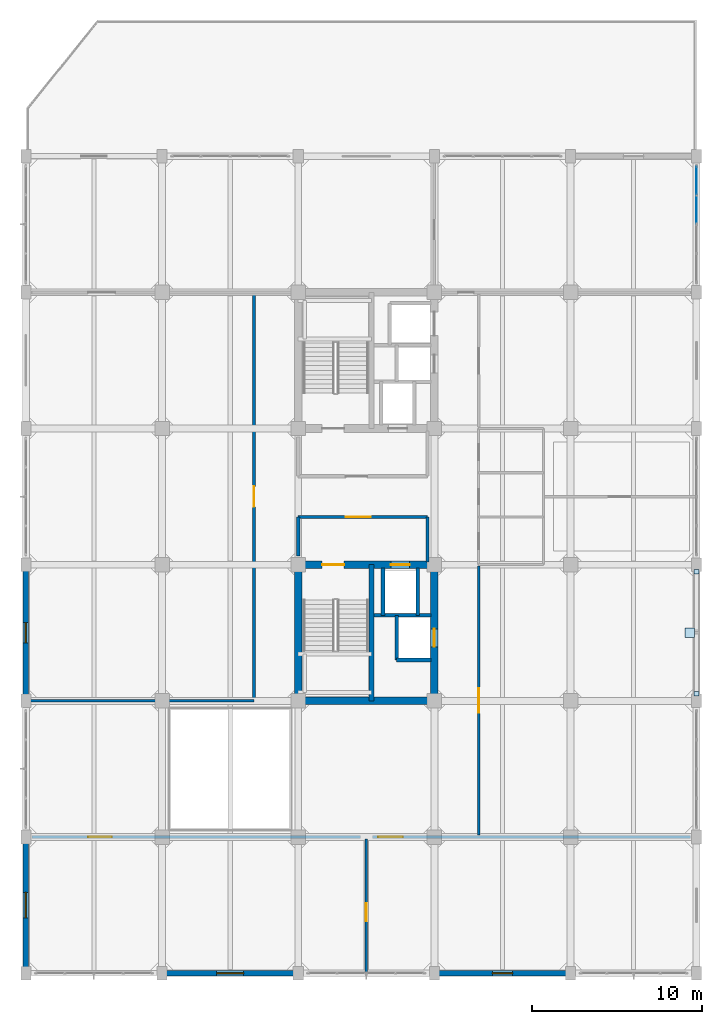
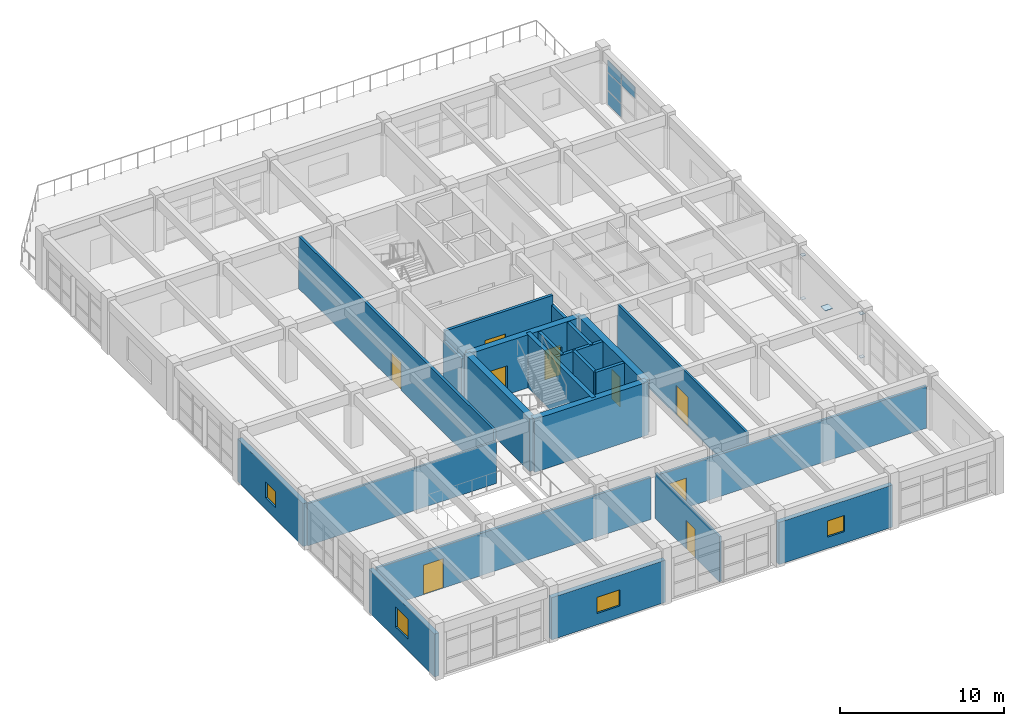
# One storey, part 24 of 30: 23 walls, 9 doors, 9 plates, 4 windows, 13 openings, 1 element without a shape of its own.
"""IFC4 building model written with IfcOpenShell, lengths in metres."""

from ifc_helpers import new_model, si_unit, direction, frame, frame_2d, origin, origin_2d, place, context, subcontext, project, spatial, rectangle, extrude, material, layer, layer_set, type_object, element, fill, aggregate, save


model = new_model("IFC4")

# Units and contexts
model_context = context("Model", 3, precision=1e-05, world=origin(), true_north=direction((0.0, 1.0)))
body_context = subcontext(model_context, "Body", "Model", "MODEL_VIEW")
ifc_project = project(units=[si_unit("LENGTHUNIT", "METRE"), si_unit("AREAUNIT", "SQUARE_METRE"), si_unit("VOLUMEUNIT", "CUBIC_METRE"), si_unit("PLANEANGLEUNIT", "RADIAN"), si_unit("MASSUNIT", "GRAM", prefix="KILO")], contexts=[model_context])

# Site, building, storey
site_placement = place(None, origin())
site = spatial("IfcSite", under=ifc_project, at=site_placement, CompositionType="ELEMENT")
building_placement = place(site_placement, origin())
building = spatial("IfcBuilding", under=site, at=building_placement, Name="Canggui Botanical Conservatory", CompositionType="ELEMENT")
storey_placement = place(building_placement, frame((0.0, 0.0, 19.199951171875)))
storey = spatial("IfcBuildingStorey", under=building, at=storey_placement, Name="L05", CompositionType="ELEMENT", Elevation=19.199951171875)

# Curtain wall, plates
ifc_material_1 = material(Name="Thermally Broken Aluminium", Category="aluminium")
ifc_layer_1 = layer(ifc_material_1, 0.1650390625, Name="Thermally Broken Aluminium", Category="aluminium")
ifc_layer_set_1 = layer_set([ifc_layer_1], Name="Thermally Broken Aluminium")
curtain_wall_type = type_object("IfcCurtainWallType", Name="CW-UNIT-B", PredefinedType="USERDEFINED", material=ifc_layer_set_1)
curtain_wall_placement = place(storey_placement, origin())
curtain_wall = element("IfcCurtainWall", 1, at=curtain_wall_placement, inside=storey, type_object=curtain_wall_type, Name="Facade Curtain Wall CW-TWR-L05-17", ObjectType="UNITISED CURTAIN WALL", PredefinedType="USERDEFINED")
ifc_material_2 = material(Name="Low-E Insulated Glass", Category="glass")
ifc_layer_2 = layer(ifc_material_2, 0.030029296875, Name="Low-E Insulated Glass", Category="glass")
ifc_layer_set_2 = layer_set([ifc_layer_2], Name="Low-E Insulated Glass")
plate_type_1 = type_object("IfcPlateType", Name="CWP-02", PredefinedType="CURTAIN_PANEL", material=ifc_layer_set_2)
plate_1_placement = place(storey_placement, frame((177.39990234375, 72.563720703125, 0.06005859375), z_axis=(0.0, 0.0, 1.0), x_axis=(0.0, -1.0, 0.0)))
plate_1 = element("IfcPlate", 2, at=plate_1_placement, type_object=plate_type_1, Name="CW-02 panel 1.1", PredefinedType="CURTAIN_PANEL", context=body_context, shape_type="SweptSolid", body=[
    extrude(rectangle(XDim=1.62255859375, YDim=0.030029296875, at=origin_2d()), origin(), (0.0, 0.0, 1.0), 0.998046875),
])
plate_2_placement = place(storey_placement, frame((177.39990234375, 72.563720703125, 1.1181640625), z_axis=(0.0, 0.0, 1.0), x_axis=(0.0, -1.0, 0.0)))
plate_2 = element("IfcPlate", 3, at=plate_2_placement, type_object=plate_type_1, Name="CW-02 panel 1.2", PredefinedType="CURTAIN_PANEL", context=body_context, shape_type="SweptSolid", body=[
    extrude(rectangle(XDim=1.62255859375, YDim=0.030029296875, at=origin_2d()), origin(), (0.0, 0.0, 1.0), 1.300048828125),
])
plate_3_placement = place(storey_placement, frame((177.39990234375, 72.563720703125, 2.47802734375), z_axis=(0.0, 0.0, 1.0), x_axis=(0.0, -1.0, 0.0)))
plate_3 = element("IfcPlate", 4, at=plate_3_placement, type_object=plate_type_1, Name="CW-02 panel 1.3", PredefinedType="CURTAIN_PANEL", context=body_context, shape_type="SweptSolid", body=[
    extrude(rectangle(XDim=1.62255859375, YDim=0.030029296875, at=origin_2d()), origin(), (0.0, 0.0, 1.0), 0.862060546875),
])
plate_4_placement = place(storey_placement, frame((177.39990234375, 70.860107421875, 2.47802734375), z_axis=(0.0, 0.0, 1.0), x_axis=(0.0, -1.0, 0.0)))
plate_4 = element("IfcPlate", 5, at=plate_4_placement, type_object=plate_type_1, Name="CW-02 panel 2.3", PredefinedType="CURTAIN_PANEL", context=body_context, shape_type="SweptSolid", body=[
    extrude(rectangle(XDim=1.655029296875, YDim=0.030029296875, at=origin_2d()), origin(), (0.0, 0.0, 1.0), 0.862060546875),
])
aggregate(curtain_wall, [plate_1, plate_2, plate_3, plate_4])

# Plates
ifc_material_3 = material(Name="Steel Q355B", Category="steel")
ifc_layer_3 = layer(ifc_material_3, 0.02001953125, Name="Steel Q355B", Category="steel")
ifc_layer_set_3 = layer_set([ifc_layer_3], Name="Steel Q355B")
plate_type_2 = type_object("IfcPlateType", Name="PLT-CAP-20", PredefinedType="USERDEFINED", material=ifc_layer_set_3)
for number, where, z_axis, x_axis, name in (
    (6, (177.39990234375, 42.419921875, 0.0400390625), (0.0, 0.0, 1.0), (1.0, 0.0, 0.0), "CP-ZC-L05-1"),
    (7, (177.39990234375, 49.580078125, 0.0400390625), (0.0, 0.0, 1.0), (1.0, 0.0, 0.0), "CP-ZC-L05-2"),
    (8, (177.39990234375, 42.419921875, 3.27001953125), (0.0, 0.0, 1.0), (1.0, 0.0, 0.0), "CP-ZC-L05-3"),
    (9, (177.39990234375, 49.580078125, 3.27001953125), (0.0, 0.0, 1.0), (1.0, 0.0, 0.0), "CP-ZC-L05-4"),
):
    element("IfcPlate", number, at=place(storey_placement, frame(where, z_axis=z_axis, x_axis=x_axis)), inside=storey, type_object=plate_type_2, Name=name, ObjectType="END CAP PLATE", PredefinedType="USERDEFINED", context=body_context, shape_type="SweptSolid", body=[
        extrude(rectangle(XDim=0.280029296875, YDim=0.280029296875, at=origin_2d()), origin(), (0.0, 0.0, 1.0), 0.02001953125),
    ])
ifc_material_4 = material(Name="Steel Q355C", Category="steel")
ifc_layer_4 = layer(ifc_material_4, 0.02392578125, Name="Steel Q355C", Category="steel")
ifc_layer_set_4 = layer_set([ifc_layer_4], Name="Steel Q355C")
plate_type_3 = type_object("IfcPlateType", Name="PLT-GUSSET-24", PredefinedType="USERDEFINED", material=ifc_layer_set_4)
plate_5_placement = place(storey_placement, frame((177.0048828125, 46.0, 1.653076171875), z_axis=(0.0, 0.0, 1.0), x_axis=(1.0, 0.0, 0.0)))
element("IfcPlate", 10, at=plate_5_placement, inside=storey, type_object=plate_type_3, Name="Seismic X-Brace Central Crossing Gusset Plate L05", ObjectType="GUSSET PLATE", PredefinedType="USERDEFINED", context=body_context, shape_type="SweptSolid", body=[
    extrude(rectangle(XDim=0.5400390625, YDim=0.5400390625, at=origin_2d()), origin(), (0.0, 0.0, 1.0), 0.02392578125),
])

# Wall, opening, window
ifc_material_5 = material(Name="Precast Concrete C40", Category="concrete")
ifc_layer_5 = layer(ifc_material_5, 0.320068359375, Name="Precast Concrete C40", Category="concrete")
ifc_layer_set_5 = layer_set([ifc_layer_5], Name="Precast Concrete C40")
wall_type_1 = type_object("IfcWallType", Name="EW-320", PredefinedType="STANDARD", material=ifc_layer_set_5)
wall_1_placement = place(storey_placement, frame((170.0, 26.0, 0.0), z_axis=(0.0, 0.0, 1.0), x_axis=(-1.0, 0.0, 0.0)))
wall_1 = element("IfcWall", 11, at=wall_1_placement, inside=storey, type_object=wall_type_1, Name="Tower Insulated Exterior Wall L05-S2", PredefinedType="STANDARD", context=body_context, shape_type="SweptSolid", body=[
    extrude(rectangle(XDim=8.0, YDim=0.320068359375, at=frame_2d((4.0, 0.0))), origin(), (0.0, 0.0, 1.0), 3.14013671875),
])
opening_1_placement = place(wall_1_placement, frame((3.39990234375, 0.0, 0.85009765625)))
opening_1 = element("IfcOpeningElement", 12, at=opening_1_placement, cuts=wall_1, Name="Opening W-06", PredefinedType="OPENING", context=body_context, shape_type="SweptSolid", body=[
    extrude(rectangle(XDim=1.199951171875, YDim=1.199951171875, at=frame_2d((0.60009765625, 0.60009765625))), frame((0.0, 0.169921875, 0.0), z_axis=(0.0, -1.0, 0.0), x_axis=(1.0, 0.0, 0.0)), (0.0, 0.0, 1.0), 0.340087890625),
])
window_type_1 = type_object("IfcWindowType", Name="WIN-06", PartitioningType="SINGLE_PANEL", PredefinedType="WINDOW", material=ifc_material_2)
window_1_placement = place(opening_1_placement, origin())
window_1 = element("IfcWindow", 13, at=window_1_placement, inside=storey, type_object=window_type_1, Name="Tower Firefighter Rescue Window L05-2", OverallHeight=1.199951171875, OverallWidth=1.199951171875, PartitioningType="SINGLE_PANEL", PredefinedType="WINDOW", context=body_context, shape_type="SweptSolid", body=[
    extrude(rectangle(XDim=1.199951171875, YDim=1.199951171875, at=frame_2d((0.60009765625, 0.60009765625))), frame((0.0, 0.030029296875, 0.0), z_axis=(0.0, -1.0, 0.0), x_axis=(1.0, 0.0, 0.0)), (0.0, 0.0, 1.0), 0.06005859375),
])
fill(opening_1, window_1)

wall_2_placement = place(storey_placement, frame((154.0, 26.0, 0.0), z_axis=(0.0, 0.0, 1.0), x_axis=(-1.0, 0.0, 0.0)))
wall_2 = element("IfcWall", 14, at=wall_2_placement, inside=storey, type_object=wall_type_1, Name="Tower Insulated Exterior Wall L05-S4", PredefinedType="STANDARD", context=body_context, shape_type="SweptSolid", body=[
    extrude(rectangle(XDim=8.0, YDim=0.320068359375, at=frame_2d((4.0, 0.0))), origin(), (0.0, 0.0, 1.0), 3.14013671875),
])
opening_2_placement = place(wall_2_placement, frame((3.199951171875, 0.0, 0.85009765625)))
opening_2 = element("IfcOpeningElement", 15, at=opening_2_placement, cuts=wall_2, Name="Opening W-04", PredefinedType="OPENING", context=body_context, shape_type="SweptSolid", body=[
    extrude(rectangle(XDim=1.60009765625, YDim=1.199951171875, at=frame_2d((0.800048828125, 0.60009765625))), frame((0.0, 0.169921875, 0.0), z_axis=(0.0, -1.0, 0.0), x_axis=(1.0, 0.0, 0.0)), (0.0, 0.0, 1.0), 0.340087890625),
])
window_type_2 = type_object("IfcWindowType", Name="WIN-04", PartitioningType="SINGLE_PANEL", PredefinedType="WINDOW", material=ifc_material_2)
window_2_placement = place(opening_2_placement, origin())
window_2 = element("IfcWindow", 16, at=window_2_placement, inside=storey, type_object=window_type_2, Name="Tower Window L05-4", OverallHeight=1.199951171875, OverallWidth=1.60009765625, PartitioningType="SINGLE_PANEL", PredefinedType="WINDOW", context=body_context, shape_type="SweptSolid", body=[
    extrude(rectangle(XDim=1.60009765625, YDim=1.199951171875, at=frame_2d((0.800048828125, 0.60009765625))), frame((0.0, 0.030029296875, 0.0), z_axis=(0.0, -1.0, 0.0), x_axis=(1.0, 0.0, 0.0)), (0.0, 0.0, 1.0), 0.06005859375),
])
fill(opening_2, window_2)

wall_3_placement = place(storey_placement, frame((138.0, 26.0, 0.0), z_axis=(0.0, 0.0, 1.0), x_axis=(0.0, 1.0, 0.0)))
wall_3 = element("IfcWall", 17, at=wall_3_placement, inside=storey, type_object=wall_type_1, Name="Tower Insulated Exterior Wall L05-W6", PredefinedType="STANDARD", context=body_context, shape_type="SweptSolid", body=[
    extrude(rectangle(XDim=8.0, YDim=0.320068359375, at=frame_2d((4.0, 0.0))), origin(), (0.0, 0.0, 1.0), 3.18994140625),
])
opening_3_placement = place(wall_3_placement, frame((3.25, 0.0, 0.85009765625)))
opening_3 = element("IfcOpeningElement", 18, at=opening_3_placement, cuts=wall_3, Name="Opening W-05", PredefinedType="OPENING", context=body_context, shape_type="SweptSolid", body=[
    extrude(rectangle(XDim=1.5, YDim=1.5, at=frame_2d((0.75, 0.75))), frame((0.0, 0.169921875, 0.0), z_axis=(0.0, -1.0, 0.0), x_axis=(1.0, 0.0, 0.0)), (0.0, 0.0, 1.0), 0.340087890625),
])
window_type_3 = type_object("IfcWindowType", Name="WIN-05", PartitioningType="SINGLE_PANEL", PredefinedType="WINDOW", material=ifc_material_2)
window_3_placement = place(opening_3_placement, origin())
window_3 = element("IfcWindow", 19, at=window_3_placement, inside=storey, type_object=window_type_3, Name="Tower Window L05-6", OverallHeight=1.5, OverallWidth=1.5, PartitioningType="SINGLE_PANEL", PredefinedType="WINDOW", context=body_context, shape_type="SweptSolid", body=[
    extrude(rectangle(XDim=1.5, YDim=1.5, at=frame_2d((0.75, 0.75))), frame((0.0, 0.030029296875, 0.0), z_axis=(0.0, -1.0, 0.0), x_axis=(1.0, 0.0, 0.0)), (0.0, 0.0, 1.0), 0.06005859375),
])
fill(opening_3, window_3)

wall_4_placement = place(storey_placement, frame((138.0, 42.0, 0.0), z_axis=(0.0, 0.0, 1.0), x_axis=(0.0, 1.0, 0.0)))
wall_4 = element("IfcWall", 20, at=wall_4_placement, inside=storey, type_object=wall_type_1, Name="Tower Insulated Exterior Wall L05-W8", PredefinedType="STANDARD", context=body_context, shape_type="SweptSolid", body=[
    extrude(rectangle(XDim=8.0, YDim=0.320068359375, at=frame_2d((4.0, 0.0))), origin(), (0.0, 0.0, 1.0), 3.18994140625),
])
opening_4_placement = place(wall_4_placement, frame((3.39990234375, 0.0, 0.85009765625)))
opening_4 = element("IfcOpeningElement", 21, at=opening_4_placement, cuts=wall_4, Name="Opening W-06", PredefinedType="OPENING", context=body_context, shape_type="SweptSolid", body=[
    extrude(rectangle(XDim=1.199951171875, YDim=1.199951171875, at=frame_2d((0.60009765625, 0.60009765625))), frame((0.0, 0.169921875, 0.0), z_axis=(0.0, -1.0, 0.0), x_axis=(1.0, 0.0, 0.0)), (0.0, 0.0, 1.0), 0.340087890625),
])
window_4_placement = place(opening_4_placement, origin())
window_4 = element("IfcWindow", 22, at=window_4_placement, inside=storey, type_object=window_type_1, Name="Tower Firefighter Rescue Window L05-8", OverallHeight=1.199951171875, OverallWidth=1.199951171875, PartitioningType="SINGLE_PANEL", PredefinedType="WINDOW", context=body_context, shape_type="SweptSolid", body=[
    extrude(rectangle(XDim=1.199951171875, YDim=1.199951171875, at=frame_2d((0.60009765625, 0.60009765625))), frame((0.0, 0.030029296875, 0.0), z_axis=(0.0, -1.0, 0.0), x_axis=(1.0, 0.0, 0.0)), (0.0, 0.0, 1.0), 0.06005859375),
])
fill(opening_4, window_4)

# Wall, opening, door
ifc_material_6 = material(Name="Gypsum Plasterboard Partition")
ifc_layer_6 = layer(ifc_material_6, 0.175048828125, Name="Gypsum Plasterboard Partition")
ifc_layer_set_6 = layer_set([ifc_layer_6], Name="Gypsum Plasterboard Partition")
wall_type_2 = type_object("IfcWallType", Name="IW-CORR-175", PredefinedType="STANDARD", material=ifc_layer_set_6)
wall_5_placement = place(storey_placement, frame((151.39990234375, 42.1201171875, 0.0), z_axis=(0.0, 0.0, 1.0), x_axis=(0.0, 1.0, 0.0)))
wall_5 = element("IfcWall", 23, at=wall_5_placement, inside=storey, type_object=wall_type_2, Name="L05 Botanical Rare Book Archive Corridor Wall", PredefinedType="STANDARD", context=body_context, shape_type="SweptSolid", body=[
    extrude(rectangle(XDim=23.759765625, YDim=0.175048828125, at=frame_2d((11.8798828125, 0.0))), origin(), (0.0, 0.0, 1.0), 3.900146484375),
])
opening_5_placement = place(wall_5_placement, frame((11.280029296875, 0.0, 0.0)))
opening_5 = element("IfcOpeningElement", 24, at=opening_5_placement, cuts=wall_5, Name="Opening FD-07", PredefinedType="OPENING", context=body_context, shape_type="SweptSolid", body=[
    extrude(rectangle(XDim=1.199951171875, YDim=2.10009765625, at=frame_2d((0.60009765625, 1.050048828125))), frame((0.0, 0.09765625, 0.0), z_axis=(0.0, -1.0, 0.0), x_axis=(1.0, 0.0, 0.0)), (0.0, 0.0, 1.0), 0.195068359375),
])
ifc_material_7 = material(Name="Powder-Coated Steel", Category="steel")
door_type_1 = type_object("IfcDoorType", Name="FD-07", OperationType="NOTDEFINED", PredefinedType="DOOR", material=ifc_material_7)
door_1_placement = place(opening_5_placement, origin())
door_1 = element("IfcDoor", 25, at=door_1_placement, inside=storey, type_object=door_type_1, Name="L05 Botanical Rare Book Archive Entrance Door", OperationType="SINGLE_SWING_RIGHT", OverallHeight=2.10009765625, OverallWidth=1.199951171875, PredefinedType="DOOR", context=body_context, shape_type="SweptSolid", body=[
    extrude(rectangle(XDim=1.199951171875, YDim=2.10009765625, at=frame_2d((0.60009765625, 1.050048828125))), frame((0.0, 0.02490234375, 0.0), z_axis=(0.0, -1.0, 0.0), x_axis=(1.0, 0.0, 0.0)), (0.0, 0.0, 1.0), 0.050048828125),
])
fill(opening_5, door_1)

wall_6_placement = place(storey_placement, frame((138.35009765625, 34.0, 0.0), z_axis=(0.0, 0.0, 1.0), x_axis=(1.0, 0.0, 0.0)))
wall_6 = element("IfcWall", 26, at=wall_6_placement, inside=storey, type_object=wall_type_2, Name="L05 Historical Flora Monograph Reading Hall South Suite Wall", PredefinedType="STANDARD", context=body_context, shape_type="SweptSolid", body=[
    extrude(rectangle(XDim=19.2998046875, YDim=0.175048828125, at=frame_2d((9.64990234375, 0.0))), origin(), (0.0, 0.0, 1.0), 3.14013671875),
])
opening_6_placement = place(wall_6_placement, frame((3.300048828125, 0.0, 0.0)))
opening_6 = element("IfcOpeningElement", 27, at=opening_6_placement, cuts=wall_6, Name="Opening FD-11", PredefinedType="OPENING", context=body_context, shape_type="SweptSolid", body=[
    extrude(rectangle(XDim=1.39990234375, YDim=2.199951171875, at=frame_2d((0.699951171875, 1.10009765625))), frame((0.0, 0.09765625, 0.0), z_axis=(0.0, -1.0, 0.0), x_axis=(1.0, 0.0, 0.0)), (0.0, 0.0, 1.0), 0.195068359375),
])
door_type_2 = type_object("IfcDoorType", Name="FD-11", OperationType="NOTDEFINED", PredefinedType="DOOR", material=ifc_material_7)
door_2_placement = place(opening_6_placement, origin())
door_2 = element("IfcDoor", 28, at=door_2_placement, inside=storey, type_object=door_type_2, Name="Interior Door IW-L05-SCOR-1", OperationType="SINGLE_SWING_RIGHT", OverallHeight=2.199951171875, OverallWidth=1.39990234375, PredefinedType="DOOR", context=body_context, shape_type="SweptSolid", body=[
    extrude(rectangle(XDim=1.39990234375, YDim=2.199951171875, at=frame_2d((0.699951171875, 1.10009765625))), frame((0.0, 0.02490234375, 0.0), z_axis=(0.0, -1.0, 0.0), x_axis=(1.0, 0.0, 0.0)), (0.0, 0.0, 1.0), 0.050048828125),
])
fill(opening_6, door_2)

wall_7_placement = place(storey_placement, frame((158.35009765625, 34.0, 0.0), z_axis=(0.0, 0.0, 1.0), x_axis=(1.0, 0.0, 0.0)))
wall_7 = element("IfcWall", 29, at=wall_7_placement, inside=storey, type_object=wall_type_2, Name="L05 Cartography and Botanical Map Vault South Suite Wall", PredefinedType="STANDARD", context=body_context, shape_type="SweptSolid", body=[
    extrude(rectangle(XDim=18.699951171875, YDim=0.175048828125, at=frame_2d((9.35009765625, 0.0))), origin(), (0.0, 0.0, 1.0), 3.14013671875),
])
opening_7_placement = place(wall_7_placement, frame((0.35009765625, 0.0, 0.0)))
opening_7 = element("IfcOpeningElement", 30, at=opening_7_placement, cuts=wall_7, Name="Opening FD-12", PredefinedType="OPENING", context=body_context, shape_type="SweptSolid", body=[
    extrude(rectangle(XDim=1.449951171875, YDim=2.199951171875, at=frame_2d((0.72509765625, 1.10009765625))), frame((0.0, 0.09765625, 0.0), z_axis=(0.0, -1.0, 0.0), x_axis=(1.0, 0.0, 0.0)), (0.0, 0.0, 1.0), 0.195068359375),
])
door_type_3 = type_object("IfcDoorType", Name="FD-12", OperationType="NOTDEFINED", PredefinedType="DOOR", material=ifc_material_7)
door_3_placement = place(opening_7_placement, origin())
door_3 = element("IfcDoor", 31, at=door_3_placement, inside=storey, type_object=door_type_3, Name="Interior Door IW-L05-SCOR-2", OperationType="SINGLE_SWING_RIGHT", OverallHeight=2.199951171875, OverallWidth=1.449951171875, PredefinedType="DOOR", context=body_context, shape_type="SweptSolid", body=[
    extrude(rectangle(XDim=1.449951171875, YDim=2.199951171875, at=frame_2d((0.72509765625, 1.10009765625))), frame((0.0, 0.02490234375, 0.0), z_axis=(0.0, -1.0, 0.0), x_axis=(1.0, 0.0, 0.0)), (0.0, 0.0, 1.0), 0.050048828125),
])
fill(opening_7, door_3)

ifc_layer_7 = layer(ifc_material_6, 0.155029296875, Name="Gypsum Plasterboard Partition")
ifc_layer_set_7 = layer_set([ifc_layer_7], Name="Gypsum Plasterboard Partition")
wall_type_3 = type_object("IfcWallType", Name="IW-LAB-155", PredefinedType="STANDARD", material=ifc_layer_set_7)
wall_8_placement = place(storey_placement, frame((164.60009765625, 34.1201171875, 0.0), z_axis=(0.0, 0.0, 1.0), x_axis=(0.0, 1.0, 0.0)))
wall_8 = element("IfcWall", 32, at=wall_8_placement, inside=storey, type_object=wall_type_3, Name="L05 Taxonomy Reference Library Lab Wall", PredefinedType="STANDARD", context=body_context, shape_type="SweptSolid", body=[
    extrude(rectangle(XDim=15.7998046875, YDim=0.155029296875, at=frame_2d((7.89990234375, 0.0))), origin(), (0.0, 0.0, 1.0), 3.900146484375),
])
opening_8_placement = place(wall_8_placement, frame((7.175048828125, 0.0, 0.0)))
opening_8 = element("IfcOpeningElement", 33, at=opening_8_placement, cuts=wall_8, Name="Opening FD-12", PredefinedType="OPENING", context=body_context, shape_type="SweptSolid", body=[
    extrude(rectangle(XDim=1.449951171875, YDim=2.199951171875, at=frame_2d((0.72509765625, 1.10009765625))), frame((0.0, 0.08740234375, 0.0), z_axis=(0.0, -1.0, 0.0), x_axis=(1.0, 0.0, 0.0)), (0.0, 0.0, 1.0), 0.175048828125),
])
door_4_placement = place(opening_8_placement, origin())
door_4 = element("IfcDoor", 34, at=door_4_placement, inside=storey, type_object=door_type_3, Name="Interior Door IW-L05-ECOR-1-1", OperationType="SINGLE_SWING_LEFT", OverallHeight=2.199951171875, OverallWidth=1.449951171875, PredefinedType="DOOR", context=body_context, shape_type="SweptSolid", body=[
    extrude(rectangle(XDim=1.449951171875, YDim=2.199951171875, at=frame_2d((0.72509765625, 1.10009765625))), frame((0.0, 0.02490234375, 0.0), z_axis=(0.0, -1.0, 0.0), x_axis=(1.0, 0.0, 0.0)), (0.0, 0.0, 1.0), 0.050048828125),
])
fill(opening_8, door_4)

ifc_material_8 = material(Name="Concrete C35", Category="concrete")
ifc_layer_8 = layer(ifc_material_8, 0.195068359375, Name="Concrete C35", Category="concrete")
ifc_layer_set_8 = layer_set([ifc_layer_8], Name="Concrete C35")
wall_type_4 = type_object("IfcWallType", Name="IW-LOBBY-195", PredefinedType="STANDARD", material=ifc_layer_set_8)
wall_9_placement = place(storey_placement, frame((154.0, 52.800048828125, 0.0), z_axis=(0.0, 0.0, 1.0), x_axis=(1.0, 0.0, 0.0)))
wall_9 = element("IfcWall", 35, at=wall_9_placement, inside=storey, type_object=wall_type_4, Name="L05 South Firefighting Lift Lobby North Wall", PredefinedType="STANDARD", context=body_context, shape_type="SweptSolid", body=[
    extrude(rectangle(XDim=7.60009765625, YDim=0.195068359375, at=frame_2d((3.800048828125, 0.0))), origin(), (0.0, 0.0, 1.0), 3.900146484375),
])
opening_9_placement = place(wall_9_placement, frame((2.800048828125, 0.0, 0.0)))
opening_9 = element("IfcOpeningElement", 36, at=opening_9_placement, cuts=wall_9, Name="Opening FD-12", PredefinedType="OPENING", context=body_context, shape_type="SweptSolid", body=[
    extrude(rectangle(XDim=1.449951171875, YDim=2.199951171875, at=frame_2d((0.72509765625, 1.10009765625))), frame((0.0, 0.107421875, 0.0), z_axis=(0.0, -1.0, 0.0), x_axis=(1.0, 0.0, 0.0)), (0.0, 0.0, 1.0), 0.215087890625),
])
door_5_placement = place(opening_9_placement, origin())
door_5 = element("IfcDoor", 37, at=door_5_placement, inside=storey, type_object=door_type_3, Name="L05 South Firefighting Lobby Fire Door", OperationType="SINGLE_SWING_LEFT", OverallHeight=2.199951171875, OverallWidth=1.449951171875, PredefinedType="DOOR", context=body_context, shape_type="SweptSolid", body=[
    extrude(rectangle(XDim=1.449951171875, YDim=2.199951171875, at=frame_2d((0.72509765625, 1.10009765625))), frame((0.0, 0.02490234375, 0.0), z_axis=(0.0, -1.0, 0.0), x_axis=(1.0, 0.0, 0.0)), (0.0, 0.0, 1.0), 0.050048828125),
])
fill(opening_9, door_5)

# Walls
wall_10_placement = place(storey_placement, frame((161.60009765625, 50.14990234375, 0.0), z_axis=(0.0, 0.0, 1.0), x_axis=(0.0, 1.0, 0.0)))
element("IfcWall", 38, at=wall_10_placement, inside=storey, type_object=wall_type_4, Name="L05 South Firefighting Lift Lobby East Wall", PredefinedType="STANDARD", context=body_context, shape_type="SweptSolid", body=[
    extrude(rectangle(XDim=2.650146484375, YDim=0.195068359375, at=frame_2d((1.3251953125, 0.0))), origin(), (0.0, 0.0, 1.0), 3.18994140625),
])
wall_11_placement = place(storey_placement, frame((154.0, 50.5, 0.0), z_axis=(0.0, 0.0, 1.0), x_axis=(0.0, 1.0, 0.0)))
element("IfcWall", 39, at=wall_11_placement, inside=storey, type_object=wall_type_4, Name="L05 South Firefighting Lift Lobby West Wall", PredefinedType="STANDARD", context=body_context, shape_type="SweptSolid", body=[
    extrude(rectangle(XDim=2.300048828125, YDim=0.195068359375, at=frame_2d((1.14990234375, 0.0))), origin(), (0.0, 0.0, 1.0), 3.18994140625),
])
ifc_layer_9 = layer(ifc_material_6, 0.139892578125, Name="Gypsum Plasterboard Partition")
ifc_layer_set_9 = layer_set([ifc_layer_9], Name="Gypsum Plasterboard Partition")
wall_type_5 = type_object("IfcWallType", Name="IW-PART-140", PredefinedType="STANDARD", material=ifc_layer_set_9)
wall_12_placement = place(storey_placement, frame((138.1201171875, 42.0, 0.0), z_axis=(0.0, 0.0, 1.0), x_axis=(1.0, 0.0, 0.0)))
element("IfcWall", 40, at=wall_12_placement, inside=storey, type_object=wall_type_5, Name="L05 Rare Book Void North Partition", PredefinedType="STANDARD", context=body_context, shape_type="SweptSolid", body=[
    extrude(rectangle(XDim=13.27978515625, YDim=0.139892578125, at=frame_2d((6.639892578125, 0.0))), origin(), (0.0, 0.0, 1.0), 3.14013671875),
])

# Wall, opening, door
wall_13_placement = place(storey_placement, frame((158.0, 26.050048828125, 0.0), z_axis=(0.0, 0.0, 1.0), x_axis=(0.0, 1.0, 0.0)))
wall_13 = element("IfcWall", 41, at=wall_13_placement, inside=storey, type_object=wall_type_5, Name="L05 Historical Flora Monograph Reading Hall South Cross Wall", PredefinedType="STANDARD", context=body_context, shape_type="SweptSolid", body=[
    extrude(rectangle(XDim=7.829833984375, YDim=0.139892578125, at=frame_2d((3.9150390625, 0.0))), origin(), (0.0, 0.0, 1.0), 3.39013671875),
])
opening_10_placement = place(wall_13_placement, frame((3.0, 0.0, 0.0)))
opening_10 = element("IfcOpeningElement", 42, at=opening_10_placement, cuts=wall_13, Name="Opening ID-05", PredefinedType="OPENING", context=body_context, shape_type="SweptSolid", body=[
    extrude(rectangle(XDim=1.06005859375, YDim=2.1201171875, at=frame_2d((0.530029296875, 1.06005859375))), frame((0.0, 0.080078125, 0.0), z_axis=(0.0, -1.0, 0.0), x_axis=(1.0, 0.0, 0.0)), (0.0, 0.0, 1.0), 0.159912109375),
])
ifc_material_9 = material(Name="Engineered Timber Veneer", Category="wood")
door_type_4 = type_object("IfcDoorType", Name="ID-05", OperationType="NOTDEFINED", PredefinedType="DOOR", material=ifc_material_9)
door_6_placement = place(opening_10_placement, origin())
door_6 = element("IfcDoor", 43, at=door_6_placement, inside=storey, type_object=door_type_4, Name="Interior Door IW-L05-SDIV-1", OperationType="SINGLE_SWING_LEFT", OverallHeight=2.1201171875, OverallWidth=1.06005859375, PredefinedType="DOOR", context=body_context, shape_type="SweptSolid", body=[
    extrude(rectangle(XDim=1.06005859375, YDim=2.1201171875, at=frame_2d((0.530029296875, 1.06005859375))), frame((0.0, 0.02490234375, 0.0), z_axis=(0.0, -1.0, 0.0), x_axis=(1.0, 0.0, 0.0)), (0.0, 0.0, 1.0), 0.050048828125),
])
fill(opening_10, door_6)

# Walls
ifc_layer_10 = layer(ifc_material_8, 0.215087890625, Name="Concrete C35", Category="concrete")
ifc_layer_set_10 = layer_set([ifc_layer_10], Name="Concrete C35")
wall_type_6 = type_object("IfcWallType", Name="IW-SHAFT-215", PredefinedType="STANDARD", material=ifc_layer_set_10)
wall_14_placement = place(storey_placement, frame((158.449951171875, 47.02001953125, 0.0), z_axis=(0.0, 0.0, 1.0), x_axis=(1.0, 0.0, 0.0)))
element("IfcWall", 44, at=wall_14_placement, inside=storey, type_object=wall_type_6, Name="Core T1 Lift Shaft Divider L05", PredefinedType="STANDARD", context=body_context, shape_type="SweptSolid", body=[
    extrude(rectangle(XDim=3.35009765625, YDim=0.215087890625, at=frame_2d((1.675048828125, 0.0))), origin(), (0.0, 0.0, 1.0), 3.900146484375),
])
for number, where, z_axis, x_axis, name in (
    (45, (158.97998046875, 47.02001953125, 0.0), (0.0, 0.0, 1.0), (0.0, 1.0, 0.0), "Core T1 FL-01 West Shaft Wall L05"),
    (46, (161.02001953125, 47.02001953125, 0.0), (0.0, 0.0, 1.0), (0.0, 1.0, 0.0), "Core T1 FL-01 East Shaft Wall L05"),
):
    element("IfcWall", number, at=place(storey_placement, frame(where, z_axis=z_axis, x_axis=x_axis)), inside=storey, type_object=wall_type_6, Name=name, PredefinedType="STANDARD", context=body_context, shape_type="SweptSolid", body=[
        extrude(rectangle(XDim=2.780029296875, YDim=0.215087890625, at=frame_2d((1.39013671875, 0.0))), origin(), (0.0, 0.0, 1.0), 3.900146484375),
    ])
wall_15_placement = place(storey_placement, frame((159.780029296875, 44.39990234375, 0.0), z_axis=(0.0, 0.0, 1.0), x_axis=(0.0, 1.0, 0.0)))
element("IfcWall", 47, at=wall_15_placement, inside=storey, type_object=wall_type_6, Name="Core T1 PL-01 West Shaft Wall L05", PredefinedType="STANDARD", context=body_context, shape_type="SweptSolid", body=[
    extrude(rectangle(XDim=2.6201171875, YDim=0.215087890625, at=frame_2d((1.31005859375, 0.0))), origin(), (0.0, 0.0, 1.0), 3.900146484375),
])
wall_16_placement = place(storey_placement, frame((159.780029296875, 44.39990234375, 0.0), z_axis=(0.0, 0.0, 1.0), x_axis=(1.0, 0.0, 0.0)))
element("IfcWall", 48, at=wall_16_placement, inside=storey, type_object=wall_type_6, Name="Core T1 PL-01 South Shaft Wall L05", PredefinedType="STANDARD", context=body_context, shape_type="SweptSolid", body=[
    extrude(rectangle(XDim=2.02001953125, YDim=0.215087890625, at=frame_2d((1.010009765625, 0.0))), origin(), (0.0, 0.0, 1.0), 3.900146484375),
])
ifc_layer_11 = layer(ifc_material_8, 0.280029296875, Name="Concrete C35", Category="concrete")
ifc_layer_set_11 = layer_set([ifc_layer_11], Name="Concrete C35")
wall_type_7 = type_object("IfcWallType", Name="WALL-SH-280-C35", PredefinedType="SHEAR", material=ifc_layer_set_11)
wall_17_placement = place(storey_placement, frame((158.300048828125, 42.0, 0.0), z_axis=(0.0, 0.0, 1.0), x_axis=(0.0, 1.0, 0.0)))
element("IfcWall", 49, at=wall_17_placement, inside=storey, type_object=wall_type_7, Name="Core T1 Internal Shear Web L05", PredefinedType="SHEAR", context=body_context, shape_type="SweptSolid", body=[
    extrude(rectangle(XDim=8.0, YDim=0.280029296875, at=frame_2d((4.0, 0.0))), origin(), (0.0, 0.0, 1.0), 3.949951171875),
])
ifc_material_10 = material(Name="Concrete C50", Category="concrete")
ifc_layer_12 = layer(ifc_material_10, 0.449951171875, Name="Concrete C50", Category="concrete")
ifc_layer_set_12 = layer_set([ifc_layer_12], Name="Concrete C50")
wall_type_8 = type_object("IfcWallType", Name="WALL-SH-450-C50", PredefinedType="SHEAR", material=ifc_layer_set_12)
wall_18_placement = place(storey_placement, frame((154.0, 42.0, 0.0), z_axis=(0.0, 0.0, 1.0), x_axis=(1.0, 0.0, 0.0)))
element("IfcWall", 50, at=wall_18_placement, inside=storey, type_object=wall_type_8, Name="Core T1 Shear Wall L05-S", PredefinedType="SHEAR", context=body_context, shape_type="SweptSolid", body=[
    extrude(rectangle(XDim=8.0, YDim=0.449951171875, at=frame_2d((4.0, 0.0))), origin(), (0.0, 0.0, 1.0), 3.949951171875),
])

# Wall, opening, door
wall_19_placement = place(storey_placement, frame((162.0, 42.0, 0.0), z_axis=(0.0, 0.0, 1.0), x_axis=(0.0, 1.0, 0.0)))
wall_19 = element("IfcWall", 51, at=wall_19_placement, inside=storey, type_object=wall_type_8, Name="Core T1 Shear Wall L05-E", PredefinedType="SHEAR", context=body_context, shape_type="SweptSolid", body=[
    extrude(rectangle(XDim=8.0, YDim=0.449951171875, at=frame_2d((4.0, 0.0))), origin(), (0.0, 0.0, 1.0), 3.949951171875),
])
opening_11_placement = place(wall_19_placement, frame((3.175048828125, 0.0, 0.0)))
opening_11 = element("IfcOpeningElement", 52, at=opening_11_placement, cuts=wall_19, Name="Opening LD-02", PredefinedType="OPENING", context=body_context, shape_type="SweptSolid", body=[
    extrude(rectangle(XDim=1.050048828125, YDim=2.199951171875, at=frame_2d((0.52490234375, 1.10009765625))), frame((0.0, 0.23486328125, 0.0), z_axis=(0.0, -1.0, 0.0), x_axis=(1.0, 0.0, 0.0)), (0.0, 0.0, 1.0), 0.469970703125),
])
ifc_material_11 = material(Name="Stainless Steel 304", Category="steel")
door_type_5 = type_object("IfcDoorType", Name="LDR-02", OperationType="NOTDEFINED", PredefinedType="DOOR", material=ifc_material_11)
door_7_placement = place(opening_11_placement, origin())
door_7 = element("IfcDoor", 53, at=door_7_placement, inside=storey, type_object=door_type_5, Name="Passenger Lift PL-01 Landing Door L05", OperationType="SLIDING_TO_LEFT", OverallHeight=2.199951171875, OverallWidth=1.050048828125, PredefinedType="DOOR", context=body_context, shape_type="SweptSolid", body=[
    extrude(rectangle(XDim=1.050048828125, YDim=2.199951171875, at=frame_2d((0.52490234375, 1.10009765625))), frame((0.0, 0.02490234375, 0.0), z_axis=(0.0, -1.0, 0.0), x_axis=(1.0, 0.0, 0.0)), (0.0, 0.0, 1.0), 0.050048828125),
])
fill(opening_11, door_7)

# Wall, openings, doors
wall_20_placement = place(storey_placement, frame((162.0, 50.0, 0.0), z_axis=(0.0, 0.0, 1.0), x_axis=(-1.0, 0.0, 0.0)))
wall_20 = element("IfcWall", 54, at=wall_20_placement, inside=storey, type_object=wall_type_8, Name="Core T1 Shear Wall L05-N", PredefinedType="SHEAR", context=body_context, shape_type="SweptSolid", body=[
    extrude(rectangle(XDim=8.0, YDim=0.449951171875, at=frame_2d((4.0, 0.0))), origin(), (0.0, 0.0, 1.0), 3.949951171875),
])
opening_12_placement = place(wall_20_placement, frame((5.300048828125, 0.0, 0.0)))
opening_12 = element("IfcOpeningElement", 55, at=opening_12_placement, cuts=wall_20, Name="Opening FD-09", PredefinedType="OPENING", context=body_context, shape_type="SweptSolid", body=[
    extrude(rectangle(XDim=1.300048828125, YDim=2.14990234375, at=frame_2d((0.64990234375, 1.074951171875))), frame((0.0, 0.23486328125, 0.0), z_axis=(0.0, -1.0, 0.0), x_axis=(1.0, 0.0, 0.0)), (0.0, 0.0, 1.0), 0.469970703125),
])
opening_13_placement = place(wall_20_placement, frame((1.449951171875, 0.0, 0.0)))
opening_13 = element("IfcOpeningElement", 56, at=opening_13_placement, cuts=wall_20, Name="Opening LD-01", PredefinedType="OPENING", context=body_context, shape_type="SweptSolid", body=[
    extrude(rectangle(XDim=1.10009765625, YDim=2.199951171875, at=frame_2d((0.550048828125, 1.10009765625))), frame((0.0, 0.23486328125, 0.0), z_axis=(0.0, -1.0, 0.0), x_axis=(1.0, 0.0, 0.0)), (0.0, 0.0, 1.0), 0.469970703125),
])
door_type_6 = type_object("IfcDoorType", Name="FD-09", OperationType="NOTDEFINED", PredefinedType="DOOR", material=ifc_material_7)
door_8_placement = place(opening_12_placement, origin())
door_8 = element("IfcDoor", 57, at=door_8_placement, inside=storey, type_object=door_type_6, Name="Tower South Smoke-Proof Stair Door L05", OperationType="SINGLE_SWING_LEFT", OverallHeight=2.14990234375, OverallWidth=1.300048828125, PredefinedType="DOOR", context=body_context, shape_type="SweptSolid", body=[
    extrude(rectangle(XDim=1.300048828125, YDim=2.14990234375, at=frame_2d((0.64990234375, 1.074951171875))), frame((0.0, 0.02490234375, 0.0), z_axis=(0.0, -1.0, 0.0), x_axis=(1.0, 0.0, 0.0)), (0.0, 0.0, 1.0), 0.050048828125),
])
fill(opening_12, door_8)
door_type_7 = type_object("IfcDoorType", Name="LDR-01", OperationType="NOTDEFINED", PredefinedType="DOOR", material=ifc_material_11)
door_9_placement = place(opening_13_placement, origin())
door_9 = element("IfcDoor", 58, at=door_9_placement, inside=storey, type_object=door_type_7, Name="Firefighting Lift FL-01 Landing Door L05", OperationType="SLIDING_TO_LEFT", OverallHeight=2.199951171875, OverallWidth=1.10009765625, PredefinedType="DOOR", context=body_context, shape_type="SweptSolid", body=[
    extrude(rectangle(XDim=1.10009765625, YDim=2.199951171875, at=frame_2d((0.550048828125, 1.10009765625))), frame((0.0, 0.02490234375, 0.0), z_axis=(0.0, -1.0, 0.0), x_axis=(1.0, 0.0, 0.0)), (0.0, 0.0, 1.0), 0.050048828125),
])
fill(opening_13, door_9)

# Wall
wall_21_placement = place(storey_placement, frame((154.0, 50.0, 0.0), z_axis=(0.0, 0.0, 1.0), x_axis=(0.0, -1.0, 0.0)))
element("IfcWall", 59, at=wall_21_placement, inside=storey, type_object=wall_type_8, Name="Core T1 Shear Wall L05-W", PredefinedType="SHEAR", context=body_context, shape_type="SweptSolid", body=[
    extrude(rectangle(XDim=8.0, YDim=0.449951171875, at=frame_2d((4.0, 0.0))), origin(), (0.0, 0.0, 1.0), 3.949951171875),
])

save(model, "model.ifc")
